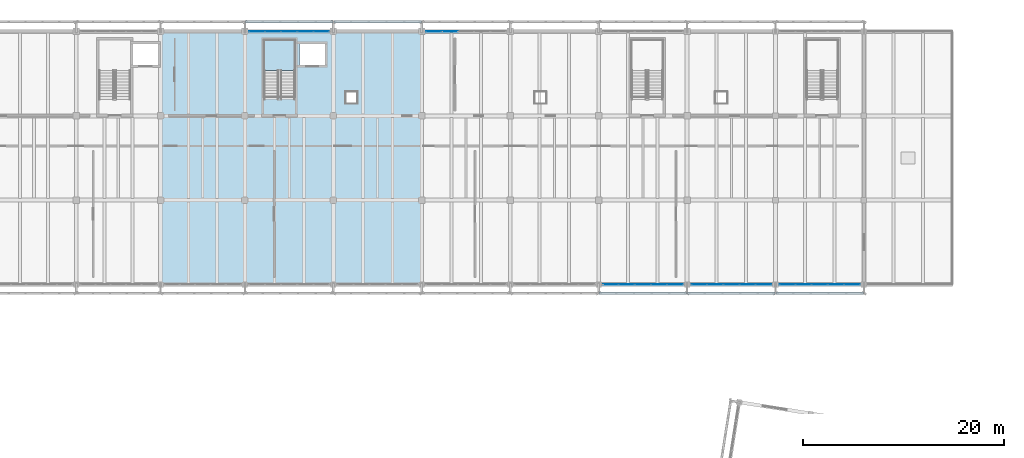
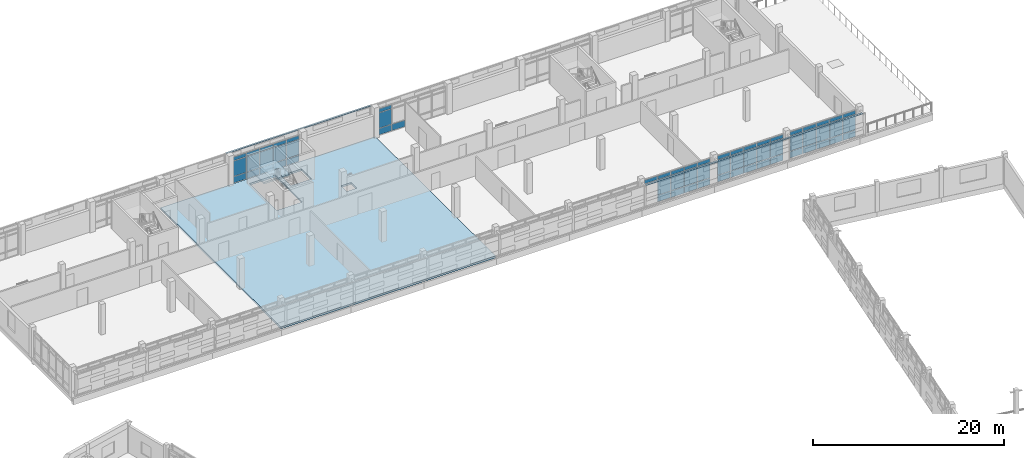
# One storey, part 90 of 117: 67 plates, 2 slabs, 6 elements without a shape of their own.
"""IFC4 building model written with IfcOpenShell, lengths in metres."""

from ifc_helpers import new_model, si_unit, direction, frame, origin, origin_2d, place, context, subcontext, project, spatial, polyline, rectangle, outline, extrude, material, layer, layer_set, type_object, element, aggregate, save


model = new_model("IFC4")

# Units and contexts
model_context = context("Model", 3, precision=1e-05, world=origin(), true_north=direction((0.0, 1.0)))
body_context = subcontext(model_context, "Body", "Model", "MODEL_VIEW")
ifc_project = project(units=[si_unit("LENGTHUNIT", "METRE"), si_unit("AREAUNIT", "SQUARE_METRE"), si_unit("VOLUMEUNIT", "CUBIC_METRE"), si_unit("PLANEANGLEUNIT", "RADIAN"), si_unit("MASSUNIT", "GRAM", prefix="KILO")], contexts=[model_context])

# Site, building, storey
site_placement = place(None, origin())
site = spatial("IfcSite", under=ifc_project, at=site_placement, CompositionType="ELEMENT")
building_placement = place(site_placement, origin())
building = spatial("IfcBuilding", under=site, at=building_placement, Name="Cinderway Yard Community Centre", CompositionType="ELEMENT")
storey_placement = place(building_placement, frame((0.0, 0.0, 9.0)))
storey = spatial("IfcBuildingStorey", under=building, at=storey_placement, Name="L02", CompositionType="ELEMENT", Elevation=9.0)

# Curtain wall, plates
ifc_material_1 = material(Name="Aluminium 6063-T6", Category="aluminium")
curtain_wall_type = type_object("IfcCurtainWallType", Name="ENV-CW-TYPE-30", PredefinedType="USERDEFINED", material=ifc_material_1)
curtain_wall_1_placement = place(storey_placement, origin())
curtain_wall_1 = element("IfcCurtainWall", 1, at=curtain_wall_1_placement, inside=storey, type_object=curtain_wall_type, Name="V4 Street Curtain Wall ENV-CW-L02-ST-0148", ObjectType="GLAZED CURTAIN WALL", PredefinedType="USERDEFINED")
ifc_material_2 = material(Name="Laminated Low-E Glass", Category="glass")
ifc_layer_1 = layer(ifc_material_2, 0.028076171875, Name="Laminated Low-E Glass")
ifc_layer_set_1 = layer_set([ifc_layer_1], Name="Laminated Low-E Glass")
plate_type_1 = type_object("IfcPlateType", Name="ENV-CW-PAN-IGU28", PredefinedType="CURTAIN_PANEL", material=ifc_layer_set_1)
plate_1_placement = place(storey_placement, frame((76.39892578125, 115.199951171875, 0.06005859375), z_axis=(0.0, 0.0, 1.0), x_axis=(1.0, 0.0, 0.0)))
plate_1 = element("IfcPlate", 2, at=plate_1_placement, type_object=plate_type_1, Name="CW-30 panel 1.1", PredefinedType="CURTAIN_PANEL", context=body_context, shape_type="SweptSolid", body=[
    extrude(rectangle(XDim=1.51806640625, YDim=0.028076171875, at=origin_2d()), origin(), (0.0, 0.0, 1.0), 0.81005859375),
])
plate_2_placement = place(storey_placement, frame((76.39892578125, 115.199951171875, 0.929931640625), z_axis=(0.0, 0.0, 1.0), x_axis=(1.0, 0.0, 0.0)))
plate_2 = element("IfcPlate", 3, at=plate_2_placement, type_object=plate_type_1, Name="CW-30 panel 1.2", PredefinedType="CURTAIN_PANEL", context=body_context, shape_type="SweptSolid", body=[
    extrude(rectangle(XDim=1.51806640625, YDim=0.028076171875, at=origin_2d()), origin(), (0.0, 0.0, 1.0), 1.93994140625),
])
plate_3_placement = place(storey_placement, frame((76.39892578125, 115.199951171875, 2.929931640625), z_axis=(0.0, 0.0, 1.0), x_axis=(1.0, 0.0, 0.0)))
plate_3 = element("IfcPlate", 4, at=plate_3_placement, type_object=plate_type_1, Name="CW-30 panel 1.3", PredefinedType="CURTAIN_PANEL", context=body_context, shape_type="SweptSolid", body=[
    extrude(rectangle(XDim=1.51806640625, YDim=0.028076171875, at=origin_2d()), origin(), (0.0, 0.0, 1.0), 0.4599609375),
])
plate_4_placement = place(storey_placement, frame((77.991943359375, 115.199951171875, 0.06005859375), z_axis=(0.0, 0.0, 1.0), x_axis=(1.0, 0.0, 0.0)))
plate_4 = element("IfcPlate", 5, at=plate_4_placement, type_object=plate_type_1, Name="CW-30 panel 2.1", PredefinedType="CURTAIN_PANEL", context=body_context, shape_type="SweptSolid", body=[
    extrude(rectangle(XDim=1.548095703125, YDim=0.028076171875, at=origin_2d()), origin(), (0.0, 0.0, 1.0), 0.81005859375),
])
plate_5_placement = place(storey_placement, frame((77.991943359375, 115.199951171875, 0.929931640625), z_axis=(0.0, 0.0, 1.0), x_axis=(1.0, 0.0, 0.0)))
plate_5 = element("IfcPlate", 6, at=plate_5_placement, type_object=plate_type_1, Name="CW-30 panel 2.2", PredefinedType="CURTAIN_PANEL", context=body_context, shape_type="SweptSolid", body=[
    extrude(rectangle(XDim=1.548095703125, YDim=0.028076171875, at=origin_2d()), origin(), (0.0, 0.0, 1.0), 1.93994140625),
])
plate_6_placement = place(storey_placement, frame((77.991943359375, 115.199951171875, 2.929931640625), z_axis=(0.0, 0.0, 1.0), x_axis=(1.0, 0.0, 0.0)))
plate_6 = element("IfcPlate", 7, at=plate_6_placement, type_object=plate_type_1, Name="CW-30 panel 2.3", PredefinedType="CURTAIN_PANEL", context=body_context, shape_type="SweptSolid", body=[
    extrude(rectangle(XDim=1.548095703125, YDim=0.028076171875, at=origin_2d()), origin(), (0.0, 0.0, 1.0), 0.4599609375),
])
plate_7_placement = place(storey_placement, frame((79.60009765625, 115.199951171875, 0.06005859375), z_axis=(0.0, 0.0, 1.0), x_axis=(1.0, 0.0, 0.0)))
plate_7 = element("IfcPlate", 8, at=plate_7_placement, type_object=plate_type_1, Name="CW-30 panel 3.1", PredefinedType="CURTAIN_PANEL", context=body_context, shape_type="SweptSolid", body=[
    extrude(rectangle(XDim=1.548095703125, YDim=0.028076171875, at=origin_2d()), origin(), (0.0, 0.0, 1.0), 0.81005859375),
])
plate_8_placement = place(storey_placement, frame((79.60009765625, 115.199951171875, 0.929931640625), z_axis=(0.0, 0.0, 1.0), x_axis=(1.0, 0.0, 0.0)))
plate_8 = element("IfcPlate", 9, at=plate_8_placement, type_object=plate_type_1, Name="CW-30 panel 3.2", PredefinedType="CURTAIN_PANEL", context=body_context, shape_type="SweptSolid", body=[
    extrude(rectangle(XDim=1.548095703125, YDim=0.028076171875, at=origin_2d()), origin(), (0.0, 0.0, 1.0), 1.93994140625),
])
plate_9_placement = place(storey_placement, frame((79.60009765625, 115.199951171875, 2.929931640625), z_axis=(0.0, 0.0, 1.0), x_axis=(1.0, 0.0, 0.0)))
plate_9 = element("IfcPlate", 10, at=plate_9_placement, type_object=plate_type_1, Name="CW-30 panel 3.3", PredefinedType="CURTAIN_PANEL", context=body_context, shape_type="SweptSolid", body=[
    extrude(rectangle(XDim=1.548095703125, YDim=0.028076171875, at=origin_2d()), origin(), (0.0, 0.0, 1.0), 0.4599609375),
])
plate_10_placement = place(storey_placement, frame((81.2080078125, 115.199951171875, 0.06005859375), z_axis=(0.0, 0.0, 1.0), x_axis=(1.0, 0.0, 0.0)))
plate_10 = element("IfcPlate", 11, at=plate_10_placement, type_object=plate_type_1, Name="CW-30 panel 4.1", PredefinedType="CURTAIN_PANEL", context=body_context, shape_type="SweptSolid", body=[
    extrude(rectangle(XDim=1.548095703125, YDim=0.028076171875, at=origin_2d()), origin(), (0.0, 0.0, 1.0), 0.81005859375),
])
plate_11_placement = place(storey_placement, frame((81.2080078125, 115.199951171875, 0.929931640625), z_axis=(0.0, 0.0, 1.0), x_axis=(1.0, 0.0, 0.0)))
plate_11 = element("IfcPlate", 12, at=plate_11_placement, type_object=plate_type_1, Name="CW-30 panel 4.2", PredefinedType="CURTAIN_PANEL", context=body_context, shape_type="SweptSolid", body=[
    extrude(rectangle(XDim=1.548095703125, YDim=0.028076171875, at=origin_2d()), origin(), (0.0, 0.0, 1.0), 1.93994140625),
])
plate_12_placement = place(storey_placement, frame((81.2080078125, 115.199951171875, 2.929931640625), z_axis=(0.0, 0.0, 1.0), x_axis=(1.0, 0.0, 0.0)))
plate_12 = element("IfcPlate", 13, at=plate_12_placement, type_object=plate_type_1, Name="CW-30 panel 4.3", PredefinedType="CURTAIN_PANEL", context=body_context, shape_type="SweptSolid", body=[
    extrude(rectangle(XDim=1.548095703125, YDim=0.028076171875, at=origin_2d()), origin(), (0.0, 0.0, 1.0), 0.4599609375),
])
plate_13_placement = place(storey_placement, frame((82.801025390625, 115.199951171875, 0.06005859375), z_axis=(0.0, 0.0, 1.0), x_axis=(1.0, 0.0, 0.0)))
plate_13 = element("IfcPlate", 14, at=plate_13_placement, type_object=plate_type_1, Name="CW-30 panel 5.1", PredefinedType="CURTAIN_PANEL", context=body_context, shape_type="SweptSolid", body=[
    extrude(rectangle(XDim=1.51806640625, YDim=0.028076171875, at=origin_2d()), origin(), (0.0, 0.0, 1.0), 0.81005859375),
])
plate_14_placement = place(storey_placement, frame((82.801025390625, 115.199951171875, 0.929931640625), z_axis=(0.0, 0.0, 1.0), x_axis=(1.0, 0.0, 0.0)))
plate_14 = element("IfcPlate", 15, at=plate_14_placement, type_object=plate_type_1, Name="CW-30 panel 5.2", PredefinedType="CURTAIN_PANEL", context=body_context, shape_type="SweptSolid", body=[
    extrude(rectangle(XDim=1.51806640625, YDim=0.028076171875, at=origin_2d()), origin(), (0.0, 0.0, 1.0), 1.93994140625),
])
plate_15_placement = place(storey_placement, frame((82.801025390625, 115.199951171875, 2.929931640625), z_axis=(0.0, 0.0, 1.0), x_axis=(1.0, 0.0, 0.0)))
plate_15 = element("IfcPlate", 16, at=plate_15_placement, type_object=plate_type_1, Name="CW-30 panel 5.3", PredefinedType="CURTAIN_PANEL", context=body_context, shape_type="SweptSolid", body=[
    extrude(rectangle(XDim=1.51806640625, YDim=0.028076171875, at=origin_2d()), origin(), (0.0, 0.0, 1.0), 0.4599609375),
])
aggregate(curtain_wall_1, [plate_1, plate_2, plate_3, plate_4, plate_5, plate_6, plate_7, plate_8, plate_9, plate_10, plate_11, plate_12, plate_13, plate_14, plate_15])

curtain_wall_2_placement = place(storey_placement, origin())
curtain_wall_2 = element("IfcCurtainWall", 17, at=curtain_wall_2_placement, inside=storey, type_object=curtain_wall_type, Name="V4 Street Curtain Wall ENV-CW-L02-ST-0151", ObjectType="GLAZED CURTAIN WALL", PredefinedType="USERDEFINED")
plate_16_placement = place(storey_placement, frame((93.9990234375, 115.199951171875, 0.06005859375), z_axis=(0.0, 0.0, 1.0), x_axis=(1.0, 0.0, 0.0)))
plate_16 = element("IfcPlate", 18, at=plate_16_placement, type_object=plate_type_1, Name="CW-30 panel 1.1", PredefinedType="CURTAIN_PANEL", context=body_context, shape_type="SweptSolid", body=[
    extrude(rectangle(XDim=1.51806640625, YDim=0.028076171875, at=origin_2d()), origin(), (0.0, 0.0, 1.0), 0.81005859375),
])
plate_17_placement = place(storey_placement, frame((93.9990234375, 115.199951171875, 0.929931640625), z_axis=(0.0, 0.0, 1.0), x_axis=(1.0, 0.0, 0.0)))
plate_17 = element("IfcPlate", 19, at=plate_17_placement, type_object=plate_type_1, Name="CW-30 panel 1.2", PredefinedType="CURTAIN_PANEL", context=body_context, shape_type="SweptSolid", body=[
    extrude(rectangle(XDim=1.51806640625, YDim=0.028076171875, at=origin_2d()), origin(), (0.0, 0.0, 1.0), 1.93994140625),
])
plate_18_placement = place(storey_placement, frame((93.9990234375, 115.199951171875, 2.929931640625), z_axis=(0.0, 0.0, 1.0), x_axis=(1.0, 0.0, 0.0)))
plate_18 = element("IfcPlate", 20, at=plate_18_placement, type_object=plate_type_1, Name="CW-30 panel 1.3", PredefinedType="CURTAIN_PANEL", context=body_context, shape_type="SweptSolid", body=[
    extrude(rectangle(XDim=1.51806640625, YDim=0.028076171875, at=origin_2d()), origin(), (0.0, 0.0, 1.0), 0.4599609375),
])
plate_19_placement = place(storey_placement, frame((95.592041015625, 115.199951171875, 0.06005859375), z_axis=(0.0, 0.0, 1.0), x_axis=(1.0, 0.0, 0.0)))
plate_19 = element("IfcPlate", 21, at=plate_19_placement, type_object=plate_type_1, Name="CW-30 panel 2.1", PredefinedType="CURTAIN_PANEL", context=body_context, shape_type="SweptSolid", body=[
    extrude(rectangle(XDim=1.548095703125, YDim=0.028076171875, at=origin_2d()), origin(), (0.0, 0.0, 1.0), 0.81005859375),
])
aggregate(curtain_wall_2, [plate_16, plate_17, plate_18, plate_19])

curtain_wall_3_placement = place(storey_placement, origin())
curtain_wall_3 = element("IfcCurtainWall", 22, at=curtain_wall_3_placement, inside=storey, type_object=curtain_wall_type, Name="V4 Courtyard Curtain Wall ENV-CW-L02-ST-0155", ObjectType="GLAZED CURTAIN WALL", PredefinedType="USERDEFINED")
plate_20_placement = place(storey_placement, frame((111.59912109375, 90.0, 2.929931640625), z_axis=(0.0, 0.0, 1.0), x_axis=(1.0, 0.0, 0.0)))
plate_20 = element("IfcPlate", 23, at=plate_20_placement, type_object=plate_type_1, Name="CW-30 panel 1.3", PredefinedType="CURTAIN_PANEL", context=body_context, shape_type="SweptSolid", body=[
    extrude(rectangle(XDim=1.51806640625, YDim=0.028076171875, at=origin_2d()), origin(), (0.0, 0.0, 1.0), 0.4599609375),
])
plate_21_placement = place(storey_placement, frame((113.19189453125, 90.0, 0.06005859375), z_axis=(0.0, 0.0, 1.0), x_axis=(1.0, 0.0, 0.0)))
plate_21 = element("IfcPlate", 24, at=plate_21_placement, type_object=plate_type_1, Name="CW-30 panel 2.1", PredefinedType="CURTAIN_PANEL", context=body_context, shape_type="SweptSolid", body=[
    extrude(rectangle(XDim=1.548095703125, YDim=0.028076171875, at=origin_2d()), origin(), (0.0, 0.0, 1.0), 0.81005859375),
])
plate_22_placement = place(storey_placement, frame((113.19189453125, 90.0, 0.929931640625), z_axis=(0.0, 0.0, 1.0), x_axis=(1.0, 0.0, 0.0)))
plate_22 = element("IfcPlate", 25, at=plate_22_placement, type_object=plate_type_1, Name="CW-30 panel 2.2", PredefinedType="CURTAIN_PANEL", context=body_context, shape_type="SweptSolid", body=[
    extrude(rectangle(XDim=1.548095703125, YDim=0.028076171875, at=origin_2d()), origin(), (0.0, 0.0, 1.0), 1.93994140625),
])
plate_23_placement = place(storey_placement, frame((113.19189453125, 90.0, 2.929931640625), z_axis=(0.0, 0.0, 1.0), x_axis=(1.0, 0.0, 0.0)))
plate_23 = element("IfcPlate", 26, at=plate_23_placement, type_object=plate_type_1, Name="CW-30 panel 2.3", PredefinedType="CURTAIN_PANEL", context=body_context, shape_type="SweptSolid", body=[
    extrude(rectangle(XDim=1.548095703125, YDim=0.028076171875, at=origin_2d()), origin(), (0.0, 0.0, 1.0), 0.4599609375),
])
plate_24_placement = place(storey_placement, frame((114.800048828125, 90.0, 0.06005859375), z_axis=(0.0, 0.0, 1.0), x_axis=(1.0, 0.0, 0.0)))
plate_24 = element("IfcPlate", 27, at=plate_24_placement, type_object=plate_type_1, Name="CW-30 panel 3.1", PredefinedType="CURTAIN_PANEL", context=body_context, shape_type="SweptSolid", body=[
    extrude(rectangle(XDim=1.548095703125, YDim=0.028076171875, at=origin_2d()), origin(), (0.0, 0.0, 1.0), 0.81005859375),
])
plate_25_placement = place(storey_placement, frame((114.800048828125, 90.0, 0.929931640625), z_axis=(0.0, 0.0, 1.0), x_axis=(1.0, 0.0, 0.0)))
plate_25 = element("IfcPlate", 28, at=plate_25_placement, type_object=plate_type_1, Name="CW-30 panel 3.2", PredefinedType="CURTAIN_PANEL", context=body_context, shape_type="SweptSolid", body=[
    extrude(rectangle(XDim=1.548095703125, YDim=0.028076171875, at=origin_2d()), origin(), (0.0, 0.0, 1.0), 1.93994140625),
])
plate_26_placement = place(storey_placement, frame((114.800048828125, 90.0, 2.929931640625), z_axis=(0.0, 0.0, 1.0), x_axis=(1.0, 0.0, 0.0)))
plate_26 = element("IfcPlate", 29, at=plate_26_placement, type_object=plate_type_1, Name="CW-30 panel 3.3", PredefinedType="CURTAIN_PANEL", context=body_context, shape_type="SweptSolid", body=[
    extrude(rectangle(XDim=1.548095703125, YDim=0.028076171875, at=origin_2d()), origin(), (0.0, 0.0, 1.0), 0.4599609375),
])
plate_27_placement = place(storey_placement, frame((116.407958984375, 90.0, 0.06005859375), z_axis=(0.0, 0.0, 1.0), x_axis=(1.0, 0.0, 0.0)))
plate_27 = element("IfcPlate", 30, at=plate_27_placement, type_object=plate_type_1, Name="CW-30 panel 4.1", PredefinedType="CURTAIN_PANEL", context=body_context, shape_type="SweptSolid", body=[
    extrude(rectangle(XDim=1.548095703125, YDim=0.028076171875, at=origin_2d()), origin(), (0.0, 0.0, 1.0), 0.81005859375),
])
plate_28_placement = place(storey_placement, frame((116.407958984375, 90.0, 0.929931640625), z_axis=(0.0, 0.0, 1.0), x_axis=(1.0, 0.0, 0.0)))
plate_28 = element("IfcPlate", 31, at=plate_28_placement, type_object=plate_type_1, Name="CW-30 panel 4.2", PredefinedType="CURTAIN_PANEL", context=body_context, shape_type="SweptSolid", body=[
    extrude(rectangle(XDim=1.548095703125, YDim=0.028076171875, at=origin_2d()), origin(), (0.0, 0.0, 1.0), 1.93994140625),
])
plate_29_placement = place(storey_placement, frame((116.407958984375, 90.0, 2.929931640625), z_axis=(0.0, 0.0, 1.0), x_axis=(1.0, 0.0, 0.0)))
plate_29 = element("IfcPlate", 32, at=plate_29_placement, type_object=plate_type_1, Name="CW-30 panel 4.3", PredefinedType="CURTAIN_PANEL", context=body_context, shape_type="SweptSolid", body=[
    extrude(rectangle(XDim=1.548095703125, YDim=0.028076171875, at=origin_2d()), origin(), (0.0, 0.0, 1.0), 0.4599609375),
])
plate_30_placement = place(storey_placement, frame((118.0009765625, 90.0, 0.06005859375), z_axis=(0.0, 0.0, 1.0), x_axis=(1.0, 0.0, 0.0)))
plate_30 = element("IfcPlate", 33, at=plate_30_placement, type_object=plate_type_1, Name="CW-30 panel 5.1", PredefinedType="CURTAIN_PANEL", context=body_context, shape_type="SweptSolid", body=[
    extrude(rectangle(XDim=1.51806640625, YDim=0.028076171875, at=origin_2d()), origin(), (0.0, 0.0, 1.0), 0.81005859375),
])
plate_31_placement = place(storey_placement, frame((118.0009765625, 90.0, 0.929931640625), z_axis=(0.0, 0.0, 1.0), x_axis=(1.0, 0.0, 0.0)))
plate_31 = element("IfcPlate", 34, at=plate_31_placement, type_object=plate_type_1, Name="CW-30 panel 5.2", PredefinedType="CURTAIN_PANEL", context=body_context, shape_type="SweptSolid", body=[
    extrude(rectangle(XDim=1.51806640625, YDim=0.028076171875, at=origin_2d()), origin(), (0.0, 0.0, 1.0), 1.93994140625),
])
plate_32_placement = place(storey_placement, frame((118.0009765625, 90.0, 2.929931640625), z_axis=(0.0, 0.0, 1.0), x_axis=(1.0, 0.0, 0.0)))
plate_32 = element("IfcPlate", 35, at=plate_32_placement, type_object=plate_type_1, Name="CW-30 panel 5.3", PredefinedType="CURTAIN_PANEL", context=body_context, shape_type="SweptSolid", body=[
    extrude(rectangle(XDim=1.51806640625, YDim=0.028076171875, at=origin_2d()), origin(), (0.0, 0.0, 1.0), 0.4599609375),
])
aggregate(curtain_wall_3, [plate_20, plate_21, plate_22, plate_23, plate_24, plate_25, plate_26, plate_27, plate_28, plate_29, plate_30, plate_31, plate_32])

curtain_wall_4_placement = place(storey_placement, origin())
curtain_wall_4 = element("IfcCurtainWall", 36, at=curtain_wall_4_placement, inside=storey, type_object=curtain_wall_type, Name="V4 Courtyard Curtain Wall ENV-CW-L02-ST-0156", ObjectType="GLAZED CURTAIN WALL", PredefinedType="USERDEFINED")
plate_33_placement = place(storey_placement, frame((120.39892578125, 90.0, 0.06005859375), z_axis=(0.0, 0.0, 1.0), x_axis=(1.0, 0.0, 0.0)))
plate_33 = element("IfcPlate", 37, at=plate_33_placement, type_object=plate_type_1, Name="CW-30 panel 1.1", PredefinedType="CURTAIN_PANEL", context=body_context, shape_type="SweptSolid", body=[
    extrude(rectangle(XDim=1.51806640625, YDim=0.028076171875, at=origin_2d()), origin(), (0.0, 0.0, 1.0), 0.81005859375),
])
plate_34_placement = place(storey_placement, frame((120.39892578125, 90.0, 0.929931640625), z_axis=(0.0, 0.0, 1.0), x_axis=(1.0, 0.0, 0.0)))
plate_34 = element("IfcPlate", 38, at=plate_34_placement, type_object=plate_type_1, Name="CW-30 panel 1.2", PredefinedType="CURTAIN_PANEL", context=body_context, shape_type="SweptSolid", body=[
    extrude(rectangle(XDim=1.51806640625, YDim=0.028076171875, at=origin_2d()), origin(), (0.0, 0.0, 1.0), 1.93994140625),
])
plate_35_placement = place(storey_placement, frame((120.39892578125, 90.0, 2.929931640625), z_axis=(0.0, 0.0, 1.0), x_axis=(1.0, 0.0, 0.0)))
plate_35 = element("IfcPlate", 39, at=plate_35_placement, type_object=plate_type_1, Name="CW-30 panel 1.3", PredefinedType="CURTAIN_PANEL", context=body_context, shape_type="SweptSolid", body=[
    extrude(rectangle(XDim=1.51806640625, YDim=0.028076171875, at=origin_2d()), origin(), (0.0, 0.0, 1.0), 0.4599609375),
])
plate_36_placement = place(storey_placement, frame((121.991943359375, 90.0, 0.06005859375), z_axis=(0.0, 0.0, 1.0), x_axis=(1.0, 0.0, 0.0)))
plate_36 = element("IfcPlate", 40, at=plate_36_placement, type_object=plate_type_1, Name="CW-30 panel 2.1", PredefinedType="CURTAIN_PANEL", context=body_context, shape_type="SweptSolid", body=[
    extrude(rectangle(XDim=1.548095703125, YDim=0.028076171875, at=origin_2d()), origin(), (0.0, 0.0, 1.0), 0.81005859375),
])
plate_37_placement = place(storey_placement, frame((121.991943359375, 90.0, 0.929931640625), z_axis=(0.0, 0.0, 1.0), x_axis=(1.0, 0.0, 0.0)))
plate_37 = element("IfcPlate", 41, at=plate_37_placement, type_object=plate_type_1, Name="CW-30 panel 2.2", PredefinedType="CURTAIN_PANEL", context=body_context, shape_type="SweptSolid", body=[
    extrude(rectangle(XDim=1.548095703125, YDim=0.028076171875, at=origin_2d()), origin(), (0.0, 0.0, 1.0), 1.93994140625),
])
plate_38_placement = place(storey_placement, frame((121.991943359375, 90.0, 2.929931640625), z_axis=(0.0, 0.0, 1.0), x_axis=(1.0, 0.0, 0.0)))
plate_38 = element("IfcPlate", 42, at=plate_38_placement, type_object=plate_type_1, Name="CW-30 panel 2.3", PredefinedType="CURTAIN_PANEL", context=body_context, shape_type="SweptSolid", body=[
    extrude(rectangle(XDim=1.548095703125, YDim=0.028076171875, at=origin_2d()), origin(), (0.0, 0.0, 1.0), 0.4599609375),
])
plate_39_placement = place(storey_placement, frame((123.60009765625, 90.0, 0.06005859375), z_axis=(0.0, 0.0, 1.0), x_axis=(1.0, 0.0, 0.0)))
plate_39 = element("IfcPlate", 43, at=plate_39_placement, type_object=plate_type_1, Name="CW-30 panel 3.1", PredefinedType="CURTAIN_PANEL", context=body_context, shape_type="SweptSolid", body=[
    extrude(rectangle(XDim=1.548095703125, YDim=0.028076171875, at=origin_2d()), origin(), (0.0, 0.0, 1.0), 0.81005859375),
])
plate_40_placement = place(storey_placement, frame((123.60009765625, 90.0, 0.929931640625), z_axis=(0.0, 0.0, 1.0), x_axis=(1.0, 0.0, 0.0)))
plate_40 = element("IfcPlate", 44, at=plate_40_placement, type_object=plate_type_1, Name="CW-30 panel 3.2", PredefinedType="CURTAIN_PANEL", context=body_context, shape_type="SweptSolid", body=[
    extrude(rectangle(XDim=1.548095703125, YDim=0.028076171875, at=origin_2d()), origin(), (0.0, 0.0, 1.0), 1.93994140625),
])
plate_41_placement = place(storey_placement, frame((123.60009765625, 90.0, 2.929931640625), z_axis=(0.0, 0.0, 1.0), x_axis=(1.0, 0.0, 0.0)))
plate_41 = element("IfcPlate", 45, at=plate_41_placement, type_object=plate_type_1, Name="CW-30 panel 3.3", PredefinedType="CURTAIN_PANEL", context=body_context, shape_type="SweptSolid", body=[
    extrude(rectangle(XDim=1.548095703125, YDim=0.028076171875, at=origin_2d()), origin(), (0.0, 0.0, 1.0), 0.4599609375),
])
plate_42_placement = place(storey_placement, frame((125.2080078125, 90.0, 0.06005859375), z_axis=(0.0, 0.0, 1.0), x_axis=(1.0, 0.0, 0.0)))
plate_42 = element("IfcPlate", 46, at=plate_42_placement, type_object=plate_type_1, Name="CW-30 panel 4.1", PredefinedType="CURTAIN_PANEL", context=body_context, shape_type="SweptSolid", body=[
    extrude(rectangle(XDim=1.548095703125, YDim=0.028076171875, at=origin_2d()), origin(), (0.0, 0.0, 1.0), 0.81005859375),
])
plate_43_placement = place(storey_placement, frame((125.2080078125, 90.0, 0.929931640625), z_axis=(0.0, 0.0, 1.0), x_axis=(1.0, 0.0, 0.0)))
plate_43 = element("IfcPlate", 47, at=plate_43_placement, type_object=plate_type_1, Name="CW-30 panel 4.2", PredefinedType="CURTAIN_PANEL", context=body_context, shape_type="SweptSolid", body=[
    extrude(rectangle(XDim=1.548095703125, YDim=0.028076171875, at=origin_2d()), origin(), (0.0, 0.0, 1.0), 1.93994140625),
])
plate_44_placement = place(storey_placement, frame((125.2080078125, 90.0, 2.929931640625), z_axis=(0.0, 0.0, 1.0), x_axis=(1.0, 0.0, 0.0)))
plate_44 = element("IfcPlate", 48, at=plate_44_placement, type_object=plate_type_1, Name="CW-30 panel 4.3", PredefinedType="CURTAIN_PANEL", context=body_context, shape_type="SweptSolid", body=[
    extrude(rectangle(XDim=1.548095703125, YDim=0.028076171875, at=origin_2d()), origin(), (0.0, 0.0, 1.0), 0.4599609375),
])
plate_45_placement = place(storey_placement, frame((126.801025390625, 90.0, 0.06005859375), z_axis=(0.0, 0.0, 1.0), x_axis=(1.0, 0.0, 0.0)))
plate_45 = element("IfcPlate", 49, at=plate_45_placement, type_object=plate_type_1, Name="CW-30 panel 5.1", PredefinedType="CURTAIN_PANEL", context=body_context, shape_type="SweptSolid", body=[
    extrude(rectangle(XDim=1.51806640625, YDim=0.028076171875, at=origin_2d()), origin(), (0.0, 0.0, 1.0), 0.81005859375),
])
plate_46_placement = place(storey_placement, frame((126.801025390625, 90.0, 0.929931640625), z_axis=(0.0, 0.0, 1.0), x_axis=(1.0, 0.0, 0.0)))
plate_46 = element("IfcPlate", 50, at=plate_46_placement, type_object=plate_type_1, Name="CW-30 panel 5.2", PredefinedType="CURTAIN_PANEL", context=body_context, shape_type="SweptSolid", body=[
    extrude(rectangle(XDim=1.51806640625, YDim=0.028076171875, at=origin_2d()), origin(), (0.0, 0.0, 1.0), 1.93994140625),
])
plate_47_placement = place(storey_placement, frame((126.801025390625, 90.0, 2.929931640625), z_axis=(0.0, 0.0, 1.0), x_axis=(1.0, 0.0, 0.0)))
plate_47 = element("IfcPlate", 51, at=plate_47_placement, type_object=plate_type_1, Name="CW-30 panel 5.3", PredefinedType="CURTAIN_PANEL", context=body_context, shape_type="SweptSolid", body=[
    extrude(rectangle(XDim=1.51806640625, YDim=0.028076171875, at=origin_2d()), origin(), (0.0, 0.0, 1.0), 0.4599609375),
])
aggregate(curtain_wall_4, [plate_33, plate_34, plate_35, plate_36, plate_37, plate_38, plate_39, plate_40, plate_41, plate_42, plate_43, plate_44, plate_45, plate_46, plate_47])

curtain_wall_5_placement = place(storey_placement, origin())
curtain_wall_5 = element("IfcCurtainWall", 52, at=curtain_wall_5_placement, inside=storey, type_object=curtain_wall_type, Name="V4 Courtyard Curtain Wall ENV-CW-L02-ST-0158", ObjectType="GLAZED CURTAIN WALL", PredefinedType="USERDEFINED")
plate_48_placement = place(storey_placement, frame((129.198974609375, 90.0, 0.06005859375), z_axis=(0.0, 0.0, 1.0), x_axis=(1.0, 0.0, 0.0)))
plate_48 = element("IfcPlate", 53, at=plate_48_placement, type_object=plate_type_1, Name="CW-30 panel 1.1", PredefinedType="CURTAIN_PANEL", context=body_context, shape_type="SweptSolid", body=[
    extrude(rectangle(XDim=1.51806640625, YDim=0.028076171875, at=origin_2d()), origin(), (0.0, 0.0, 1.0), 0.81005859375),
])
plate_49_placement = place(storey_placement, frame((129.198974609375, 90.0, 0.929931640625), z_axis=(0.0, 0.0, 1.0), x_axis=(1.0, 0.0, 0.0)))
plate_49 = element("IfcPlate", 54, at=plate_49_placement, type_object=plate_type_1, Name="CW-30 panel 1.2", PredefinedType="CURTAIN_PANEL", context=body_context, shape_type="SweptSolid", body=[
    extrude(rectangle(XDim=1.51806640625, YDim=0.028076171875, at=origin_2d()), origin(), (0.0, 0.0, 1.0), 1.93994140625),
])
plate_50_placement = place(storey_placement, frame((129.198974609375, 90.0, 2.929931640625), z_axis=(0.0, 0.0, 1.0), x_axis=(1.0, 0.0, 0.0)))
plate_50 = element("IfcPlate", 55, at=plate_50_placement, type_object=plate_type_1, Name="CW-30 panel 1.3", PredefinedType="CURTAIN_PANEL", context=body_context, shape_type="SweptSolid", body=[
    extrude(rectangle(XDim=1.51806640625, YDim=0.028076171875, at=origin_2d()), origin(), (0.0, 0.0, 1.0), 0.4599609375),
])
plate_51_placement = place(storey_placement, frame((130.7919921875, 90.0, 0.06005859375), z_axis=(0.0, 0.0, 1.0), x_axis=(1.0, 0.0, 0.0)))
plate_51 = element("IfcPlate", 56, at=plate_51_placement, type_object=plate_type_1, Name="CW-30 panel 2.1", PredefinedType="CURTAIN_PANEL", context=body_context, shape_type="SweptSolid", body=[
    extrude(rectangle(XDim=1.548095703125, YDim=0.028076171875, at=origin_2d()), origin(), (0.0, 0.0, 1.0), 0.81005859375),
])
plate_52_placement = place(storey_placement, frame((130.7919921875, 90.0, 0.929931640625), z_axis=(0.0, 0.0, 1.0), x_axis=(1.0, 0.0, 0.0)))
plate_52 = element("IfcPlate", 57, at=plate_52_placement, type_object=plate_type_1, Name="CW-30 panel 2.2", PredefinedType="CURTAIN_PANEL", context=body_context, shape_type="SweptSolid", body=[
    extrude(rectangle(XDim=1.548095703125, YDim=0.028076171875, at=origin_2d()), origin(), (0.0, 0.0, 1.0), 1.93994140625),
])
plate_53_placement = place(storey_placement, frame((130.7919921875, 90.0, 2.929931640625), z_axis=(0.0, 0.0, 1.0), x_axis=(1.0, 0.0, 0.0)))
plate_53 = element("IfcPlate", 58, at=plate_53_placement, type_object=plate_type_1, Name="CW-30 panel 2.3", PredefinedType="CURTAIN_PANEL", context=body_context, shape_type="SweptSolid", body=[
    extrude(rectangle(XDim=1.548095703125, YDim=0.028076171875, at=origin_2d()), origin(), (0.0, 0.0, 1.0), 0.4599609375),
])
plate_54_placement = place(storey_placement, frame((132.39990234375, 90.0, 0.06005859375), z_axis=(0.0, 0.0, 1.0), x_axis=(1.0, 0.0, 0.0)))
plate_54 = element("IfcPlate", 59, at=plate_54_placement, type_object=plate_type_1, Name="CW-30 panel 3.1", PredefinedType="CURTAIN_PANEL", context=body_context, shape_type="SweptSolid", body=[
    extrude(rectangle(XDim=1.548095703125, YDim=0.028076171875, at=origin_2d()), origin(), (0.0, 0.0, 1.0), 0.81005859375),
])
plate_55_placement = place(storey_placement, frame((132.39990234375, 90.0, 0.929931640625), z_axis=(0.0, 0.0, 1.0), x_axis=(1.0, 0.0, 0.0)))
plate_55 = element("IfcPlate", 60, at=plate_55_placement, type_object=plate_type_1, Name="CW-30 panel 3.2", PredefinedType="CURTAIN_PANEL", context=body_context, shape_type="SweptSolid", body=[
    extrude(rectangle(XDim=1.548095703125, YDim=0.028076171875, at=origin_2d()), origin(), (0.0, 0.0, 1.0), 1.93994140625),
])
plate_56_placement = place(storey_placement, frame((132.39990234375, 90.0, 2.929931640625), z_axis=(0.0, 0.0, 1.0), x_axis=(1.0, 0.0, 0.0)))
plate_56 = element("IfcPlate", 61, at=plate_56_placement, type_object=plate_type_1, Name="CW-30 panel 3.3", PredefinedType="CURTAIN_PANEL", context=body_context, shape_type="SweptSolid", body=[
    extrude(rectangle(XDim=1.548095703125, YDim=0.028076171875, at=origin_2d()), origin(), (0.0, 0.0, 1.0), 0.4599609375),
])
plate_57_placement = place(storey_placement, frame((134.008056640625, 90.0, 0.06005859375), z_axis=(0.0, 0.0, 1.0), x_axis=(1.0, 0.0, 0.0)))
plate_57 = element("IfcPlate", 62, at=plate_57_placement, type_object=plate_type_1, Name="CW-30 panel 4.1", PredefinedType="CURTAIN_PANEL", context=body_context, shape_type="SweptSolid", body=[
    extrude(rectangle(XDim=1.548095703125, YDim=0.028076171875, at=origin_2d()), origin(), (0.0, 0.0, 1.0), 0.81005859375),
])
plate_58_placement = place(storey_placement, frame((134.008056640625, 90.0, 0.929931640625), z_axis=(0.0, 0.0, 1.0), x_axis=(1.0, 0.0, 0.0)))
plate_58 = element("IfcPlate", 63, at=plate_58_placement, type_object=plate_type_1, Name="CW-30 panel 4.2", PredefinedType="CURTAIN_PANEL", context=body_context, shape_type="SweptSolid", body=[
    extrude(rectangle(XDim=1.548095703125, YDim=0.028076171875, at=origin_2d()), origin(), (0.0, 0.0, 1.0), 1.93994140625),
])
plate_59_placement = place(storey_placement, frame((134.008056640625, 90.0, 2.929931640625), z_axis=(0.0, 0.0, 1.0), x_axis=(1.0, 0.0, 0.0)))
plate_59 = element("IfcPlate", 64, at=plate_59_placement, type_object=plate_type_1, Name="CW-30 panel 4.3", PredefinedType="CURTAIN_PANEL", context=body_context, shape_type="SweptSolid", body=[
    extrude(rectangle(XDim=1.548095703125, YDim=0.028076171875, at=origin_2d()), origin(), (0.0, 0.0, 1.0), 0.4599609375),
])
plate_60_placement = place(storey_placement, frame((135.60107421875, 90.0, 0.06005859375), z_axis=(0.0, 0.0, 1.0), x_axis=(1.0, 0.0, 0.0)))
plate_60 = element("IfcPlate", 65, at=plate_60_placement, type_object=plate_type_1, Name="CW-30 panel 5.1", PredefinedType="CURTAIN_PANEL", context=body_context, shape_type="SweptSolid", body=[
    extrude(rectangle(XDim=1.51806640625, YDim=0.028076171875, at=origin_2d()), origin(), (0.0, 0.0, 1.0), 0.81005859375),
])
plate_61_placement = place(storey_placement, frame((135.60107421875, 90.0, 0.929931640625), z_axis=(0.0, 0.0, 1.0), x_axis=(1.0, 0.0, 0.0)))
plate_61 = element("IfcPlate", 66, at=plate_61_placement, type_object=plate_type_1, Name="CW-30 panel 5.2", PredefinedType="CURTAIN_PANEL", context=body_context, shape_type="SweptSolid", body=[
    extrude(rectangle(XDim=1.51806640625, YDim=0.028076171875, at=origin_2d()), origin(), (0.0, 0.0, 1.0), 1.93994140625),
])
plate_62_placement = place(storey_placement, frame((135.60107421875, 90.0, 2.929931640625), z_axis=(0.0, 0.0, 1.0), x_axis=(1.0, 0.0, 0.0)))
plate_62 = element("IfcPlate", 67, at=plate_62_placement, type_object=plate_type_1, Name="CW-30 panel 5.3", PredefinedType="CURTAIN_PANEL", context=body_context, shape_type="SweptSolid", body=[
    extrude(rectangle(XDim=1.51806640625, YDim=0.028076171875, at=origin_2d()), origin(), (0.0, 0.0, 1.0), 0.4599609375),
])
aggregate(curtain_wall_5, [plate_48, plate_49, plate_50, plate_51, plate_52, plate_53, plate_54, plate_55, plate_56, plate_57, plate_58, plate_59, plate_60, plate_61, plate_62])

# Plates
ifc_layer_2 = layer(ifc_material_1, 0.01611328125, Name="Aluminium 6063-T6")
ifc_layer_set_2 = layer_set([ifc_layer_2], Name="Aluminium 6063-T6")
plate_type_2 = type_object("IfcPlateType", Name="ENV-PLT-FASCIA16", PredefinedType="USERDEFINED", material=ifc_layer_set_2)
for number, where, z_axis, x_axis, name in (
    (68, (79.60009765625, 116.14990234375, 3.411865234375), (0.0, 0.0, 1.0), (1.0, 0.0, 0.0), "Screen coping fascia 0017"),
    (69, (88.39990234375, 116.14990234375, 3.411865234375), (0.0, 0.0, 1.0), (1.0, 0.0, 0.0), "Screen coping fascia 0018"),
    (70, (114.800048828125, 89.14990234375, 3.411865234375), (0.0, 0.0, 1.0), (-1.0, 0.0, 0.0), "Screen coping fascia 0060"),
    (71, (123.60009765625, 89.14990234375, 3.411865234375), (0.0, 0.0, 1.0), (-1.0, 0.0, 0.0), "Screen coping fascia 0061"),
    (72, (132.39990234375, 89.14990234375, 3.411865234375), (0.0, 0.0, 1.0), (-1.0, 0.0, 0.0), "Screen coping fascia 0062"),
):
    element("IfcPlate", number, at=place(storey_placement, frame(where, z_axis=z_axis, x_axis=x_axis)), inside=storey, type_object=plate_type_2, Name=name, ObjectType="FASCIA PLATE", PredefinedType="USERDEFINED", context=body_context, shape_type="SweptSolid", body=[
        extrude(rectangle(XDim=8.699951171875, YDim=0.260009765625, at=origin_2d()), origin(), (0.0, 0.0, 1.0), 0.01611328125),
    ])

# Stair, slab
ifc_material_3 = material(Name="Concrete C40/50", Category="concrete")
stair_type = type_object("IfcStairType", Name="INT-STR-390A", PredefinedType="HALF_TURN_STAIR", material=ifc_material_3)
stair_placement = place(storey_placement, origin())
stair = element("IfcStair", 73, at=stair_placement, inside=storey, type_object=stair_type, Name="L02 Core C2A Exit Stair ST-02", PredefinedType="HALF_TURN_STAIR")
ifc_layer_3 = layer(ifc_material_3, 0.199951171875, Name="Concrete C40/50")
ifc_layer_set_3 = layer_set([ifc_layer_3], Name="Concrete C40/50")
slab_type_1 = type_object("IfcSlabType", Name="INT-SLB-LND200", PredefinedType="LANDING", material=ifc_layer_set_3)
slab_1_placement = place(storey_placement, frame((0.0, 0.0, 1.75)))
slab_1 = element("IfcSlab", 74, at=slab_1_placement, type_object=slab_type_1, Name="ST-02 landing 1", PredefinedType="LANDING", context=body_context, shape_type="SweptSolid", body=[
    extrude(outline(polyline([(80.199951171875, 111.330078125), (80.199951171875, 114.35009765625), (77.080078125, 114.35009765625), (77.080078125, 111.330078125), (80.199951171875, 111.330078125)])), origin(), (0.0, 0.0, 1.0), 0.199951171875),
])
aggregate(stair, [slab_1])

# Slab
ifc_material_4 = material(Name="Concrete C35/45", Category="concrete")
ifc_layer_4 = layer(ifc_material_4, 0.239990234375, Name="Concrete C35/45")
ifc_layer_set_4 = layer_set([ifc_layer_4], Name="Concrete C35/45")
slab_type_2 = type_object("IfcSlabType", Name="STR-SLAB-FLR-240", PredefinedType="FLOOR", material=ifc_layer_set_4)
slab_2_placement = place(storey_placement, frame((0.0, 0.0, -0.239990234375)))
element("IfcSlab", 75, at=slab_2_placement, inside=storey, type_object=slab_type_2, Name="V4 West B Adult Classrooms Slab L02 STR-SLAB-L02-030", PredefinedType="FLOOR", context=body_context, shape_type="SweptSolid", body=[
    extrude(outline(polyline([(66.800048828125, 90.0), (92.800048828125, 90.0), (92.800048828125, 115.199951171875), (66.800048828125, 115.199951171875), (66.800048828125, 90.0)]), holes=[polyline([(80.199951171875, 108.669921875), (80.199951171875, 114.35009765625), (77.080078125, 114.35009765625), (77.080078125, 108.669921875), (80.199951171875, 108.669921875)]), polyline([(80.64990234375, 111.85009765625), (83.14990234375, 111.85009765625), (83.14990234375, 113.949951171875), (80.64990234375, 113.949951171875), (80.64990234375, 111.85009765625)]), polyline([(85.199951171875, 108.0), (86.39990234375, 108.0), (86.39990234375, 109.199951171875), (85.199951171875, 109.199951171875), (85.199951171875, 108.0)])]), origin(), (0.0, 0.0, 1.0), 0.239990234375),
])

save(model, "model.ifc")
